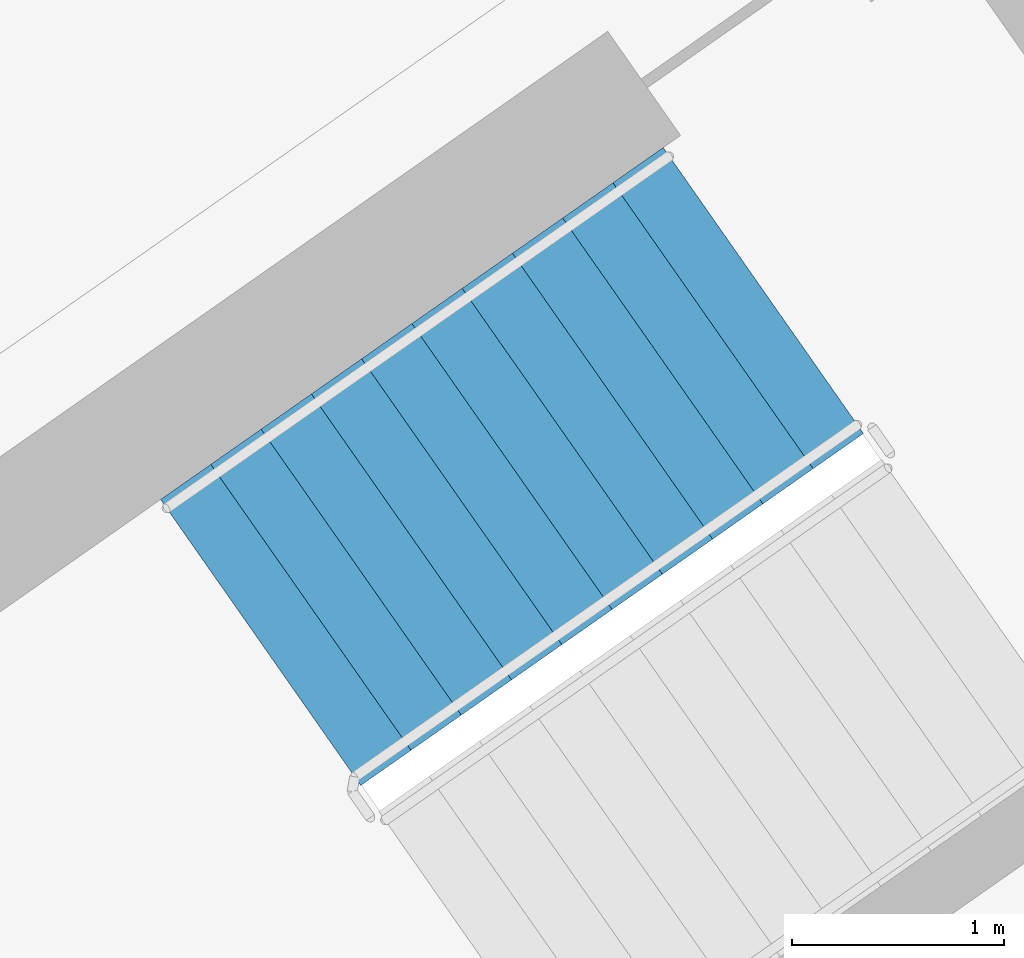
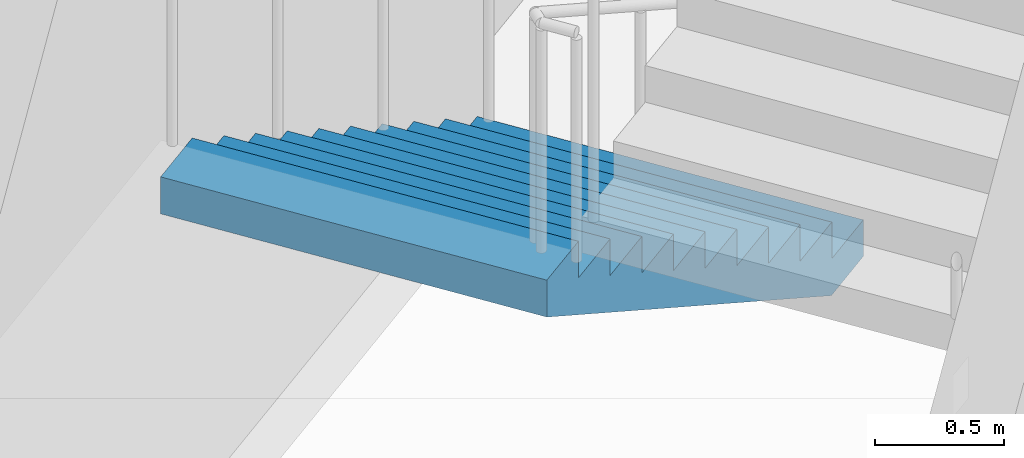
# One storey, part 16 of 29: 1 stair flight, 1 element without a shape of its own.
"""IFC4 building model written with IfcOpenShell, lengths in metres."""

from ifc_helpers import new_model, si_unit, direction, frame, origin, place, context, subcontext, project, spatial, faceted_brep, material, type_object, element, aggregate, save


model = new_model("IFC4")

# Units and contexts
model_context = context("Model", 3, precision=1e-05, world=origin(), true_north=direction((0.0, 1.0)))
body_context = subcontext(model_context, "Body", "Model", "MODEL_VIEW")
ifc_project = project(units=[si_unit("LENGTHUNIT", "METRE"), si_unit("AREAUNIT", "SQUARE_METRE"), si_unit("VOLUMEUNIT", "CUBIC_METRE"), si_unit("PLANEANGLEUNIT", "RADIAN"), si_unit("MASSUNIT", "GRAM", prefix="KILO")], contexts=[model_context])

# Site, building, storey
site_placement = place(None, origin())
site = spatial("IfcSite", under=ifc_project, at=site_placement, CompositionType="ELEMENT")
building_placement = place(site_placement, origin())
building = spatial("IfcBuilding", under=site, at=building_placement, Name="Qamariyya Broadcast Tower", CompositionType="ELEMENT")
storey_placement = place(building_placement, frame((0.0, 0.0, 207.5)))
storey = spatial("IfcBuildingStorey", under=building, at=storey_placement, Name="L49", CompositionType="ELEMENT", Elevation=207.5)

# Stair, stair flight
ifc_material = material(Name="Concrete C50/60", Category="concrete")
stair_type = type_object("IfcStairType", Name="Exit stair 22 risers of 173 mm", PredefinedType="HALF_TURN_STAIR", material=ifc_material)
stair_placement = place(storey_placement, origin())
stair = element("IfcStair", 1, at=stair_placement, inside=storey, type_object=stair_type, Name="L49 Stair E2", PredefinedType="HALF_TURN_STAIR")
stair_flight_type = type_object("IfcStairFlightType", Name="Exit stair flight 11 risers of 173 mm", PredefinedType="STRAIGHT", material=ifc_material)
stair_flight_placement = place(storey_placement, frame((40.558837890625, -47.685302734375, 0.0), z_axis=(0.0, 0.0, 1.0), x_axis=(-0.819152044289, -0.573576436351, 0.0)))
stair_flight = element("IfcStairFlight", 2, at=stair_flight_placement, type_object=stair_flight_type, Name="ST-E2 flight 1", NumberOfRisers=11, NumberOfTreads=10, PredefinedType="STRAIGHT", RiserHeight=0.172727273, TreadLength=0.29, context=body_context, shape_type="Brep", body=[
    faceted_brep([(0.0, 0.824951171875, 0.0), (0.0, 0.824951171875, 0.172607421875), (0.2900390625, 0.824951171875, 0.172607421875), (0.2900390625, 0.824951171875, 0.345458984375), (0.580078125, 0.824951171875, 0.345458984375), (0.580078125, 0.824951171875, 0.51806640625), (0.8701171875, 0.824951171875, 0.51806640625), (0.8701171875, 0.824951171875, 0.69091796875), (1.159912109375, 0.824951171875, 0.69091796875), (1.159912109375, 0.824951171875, 0.863525390625), (1.449951171875, 0.824951171875, 0.863525390625), (1.449951171875, 0.824951171875, 1.036376953125), (1.739990234375, 0.824951171875, 1.036376953125), (1.739990234375, 0.824951171875, 1.208984375), (2.030029296875, 0.824951171875, 1.208984375), (2.030029296875, 0.824951171875, 1.3818359375), (2.320068359375, 0.824951171875, 1.3818359375), (2.320068359375, 0.824951171875, 1.554443359375), (2.610107421875, 0.824951171875, 1.554443359375), (2.610107421875, 0.824951171875, 1.727294921875), (2.89990234375, 0.824951171875, 1.727294921875), (2.89990234375, 0.824951171875, 1.552734375), (0.29296875, 0.824951171875, 0.0), (0.29296875, -0.824951171875, 0.0), (2.89990234375, -0.824951171875, 1.552734375), (2.89990234375, -0.824951171875, 1.727294921875), (2.610107421875, -0.824951171875, 1.727294921875), (2.610107421875, -0.824951171875, 1.554443359375), (2.320068359375, -0.824951171875, 1.554443359375), (2.320068359375, -0.824951171875, 1.3818359375), (2.030029296875, -0.824951171875, 1.3818359375), (2.030029296875, -0.824951171875, 1.208984375), (1.739990234375, -0.824951171875, 1.208984375), (1.739990234375, -0.824951171875, 1.036376953125), (1.449951171875, -0.824951171875, 1.036376953125), (1.449951171875, -0.824951171875, 0.863525390625), (1.159912109375, -0.824951171875, 0.863525390625), (1.159912109375, -0.824951171875, 0.69091796875), (0.8701171875, -0.824951171875, 0.69091796875), (0.8701171875, -0.824951171875, 0.51806640625), (0.580078125, -0.824951171875, 0.51806640625), (0.580078125, -0.824951171875, 0.345458984375), (0.2900390625, -0.824951171875, 0.345458984375), (0.2900390625, -0.824951171875, 0.172607421875), (0.0, -0.824951171875, 0.172607421875), (0.0, -0.824951171875, 0.0), (0.0, 0.10009765625, 0.0), (0.0, 0.086669921875, 0.0), (0.0, 0.0732421875, 0.0), (0.0, 0.06005859375, 0.0), (0.0, 0.046630859375, 0.0), (0.0, 0.033447265625, 0.0), (0.0, 0.02001953125, 0.0), (0.0, 0.006591796875, 0.0), (0.0, -0.006591796875, 0.0), (0.0, -0.02001953125, 0.0), (0.0, -0.033447265625, 0.0), (0.0, -0.046630859375, 0.0), (0.0, -0.06005859375, 0.0), (0.0, -0.0732421875, 0.0), (0.0, -0.086669921875, 0.0), (0.0, -0.10009765625, 0.0), (0.0, -0.10009765625, 0.172607421875), (0.0, -0.086669921875, 0.172607421875), (0.0, -0.0732421875, 0.172607421875), (0.0, -0.06005859375, 0.172607421875), (0.0, -0.046630859375, 0.172607421875), (0.0, -0.033447265625, 0.172607421875), (0.0, -0.02001953125, 0.172607421875), (0.0, -0.006591796875, 0.172607421875), (0.0, 0.006591796875, 0.172607421875), (0.0, 0.02001953125, 0.172607421875), (0.0, 0.033447265625, 0.172607421875), (0.0, 0.046630859375, 0.172607421875), (0.0, 0.06005859375, 0.172607421875), (0.0, 0.0732421875, 0.172607421875), (0.0, 0.086669921875, 0.172607421875), (0.0, 0.10009765625, 0.172607421875), (0.2900390625, -0.10009765625, 0.172607421875), (0.2900390625, -0.086669921875, 0.172607421875), (0.2900390625, -0.0732421875, 0.172607421875), (0.2900390625, -0.06005859375, 0.172607421875), (0.2900390625, -0.046630859375, 0.172607421875), (0.2900390625, -0.033447265625, 0.172607421875), (0.2900390625, -0.02001953125, 0.172607421875), (0.2900390625, -0.006591796875, 0.172607421875), (0.2900390625, 0.006591796875, 0.172607421875), (0.2900390625, 0.02001953125, 0.172607421875), (0.2900390625, 0.033447265625, 0.172607421875), (0.2900390625, 0.046630859375, 0.172607421875), (0.2900390625, 0.06005859375, 0.172607421875), (0.2900390625, 0.0732421875, 0.172607421875), (0.2900390625, 0.086669921875, 0.172607421875), (0.2900390625, 0.10009765625, 0.172607421875), (0.2900390625, -0.10009765625, 0.345458984375), (0.2900390625, -0.086669921875, 0.345458984375), (0.2900390625, -0.0732421875, 0.345458984375), (0.2900390625, -0.06005859375, 0.345458984375), (0.2900390625, -0.046630859375, 0.345458984375), (0.2900390625, -0.033447265625, 0.345458984375), (0.2900390625, -0.02001953125, 0.345458984375), (0.2900390625, -0.006591796875, 0.345458984375), (0.2900390625, 0.006591796875, 0.345458984375), (0.2900390625, 0.02001953125, 0.345458984375), (0.2900390625, 0.033447265625, 0.345458984375), (0.2900390625, 0.046630859375, 0.345458984375), (0.2900390625, 0.06005859375, 0.345458984375), (0.2900390625, 0.0732421875, 0.345458984375), (0.2900390625, 0.086669921875, 0.345458984375), (0.2900390625, 0.10009765625, 0.345458984375), (0.580078125, -0.10009765625, 0.345458984375), (0.580078125, -0.086669921875, 0.345458984375), (0.580078125, -0.0732421875, 0.345458984375), (0.580078125, -0.06005859375, 0.345458984375), (0.580078125, -0.046630859375, 0.345458984375), (0.580078125, -0.033447265625, 0.345458984375), (0.580078125, -0.02001953125, 0.345458984375), (0.580078125, -0.006591796875, 0.345458984375), (0.580078125, 0.006591796875, 0.345458984375), (0.580078125, 0.02001953125, 0.345458984375), (0.580078125, 0.033447265625, 0.345458984375), (0.580078125, 0.046630859375, 0.345458984375), (0.580078125, 0.06005859375, 0.345458984375), (0.580078125, 0.0732421875, 0.345458984375), (0.580078125, 0.086669921875, 0.345458984375), (0.580078125, 0.10009765625, 0.345458984375), (0.580078125, -0.10009765625, 0.51806640625), (0.580078125, -0.086669921875, 0.51806640625), (0.580078125, -0.0732421875, 0.51806640625), (0.580078125, -0.06005859375, 0.51806640625), (0.580078125, -0.046630859375, 0.51806640625), (0.580078125, -0.033447265625, 0.51806640625), (0.580078125, -0.02001953125, 0.51806640625), (0.580078125, -0.006591796875, 0.51806640625), (0.580078125, 0.006591796875, 0.51806640625), (0.580078125, 0.02001953125, 0.51806640625), (0.580078125, 0.033447265625, 0.51806640625), (0.580078125, 0.046630859375, 0.51806640625), (0.580078125, 0.06005859375, 0.51806640625), (0.580078125, 0.0732421875, 0.51806640625), (0.580078125, 0.086669921875, 0.51806640625), (0.580078125, 0.10009765625, 0.51806640625), (0.8701171875, -0.10009765625, 0.51806640625), (0.8701171875, -0.086669921875, 0.51806640625), (0.8701171875, -0.0732421875, 0.51806640625), (0.8701171875, -0.06005859375, 0.51806640625), (0.8701171875, -0.046630859375, 0.51806640625), (0.8701171875, -0.033447265625, 0.51806640625), (0.8701171875, -0.02001953125, 0.51806640625), (0.8701171875, -0.006591796875, 0.51806640625), (0.8701171875, 0.006591796875, 0.51806640625), (0.8701171875, 0.02001953125, 0.51806640625), (0.8701171875, 0.033447265625, 0.51806640625), (0.8701171875, 0.046630859375, 0.51806640625), (0.8701171875, 0.06005859375, 0.51806640625), (0.8701171875, 0.0732421875, 0.51806640625), (0.8701171875, 0.086669921875, 0.51806640625), (0.8701171875, 0.10009765625, 0.51806640625), (0.8701171875, -0.10009765625, 0.69091796875), (0.8701171875, -0.086669921875, 0.69091796875), (0.8701171875, -0.0732421875, 0.69091796875), (0.8701171875, -0.06005859375, 0.69091796875), (0.8701171875, -0.046630859375, 0.69091796875), (0.8701171875, -0.033447265625, 0.69091796875), (0.8701171875, -0.02001953125, 0.69091796875), (0.8701171875, -0.006591796875, 0.69091796875), (0.8701171875, 0.006591796875, 0.69091796875), (0.8701171875, 0.02001953125, 0.69091796875), (0.8701171875, 0.033447265625, 0.69091796875), (0.8701171875, 0.046630859375, 0.69091796875), (0.8701171875, 0.06005859375, 0.69091796875), (0.8701171875, 0.0732421875, 0.69091796875), (0.8701171875, 0.086669921875, 0.69091796875), (0.8701171875, 0.10009765625, 0.69091796875), (1.159912109375, -0.10009765625, 0.69091796875), (1.159912109375, -0.086669921875, 0.69091796875), (1.159912109375, -0.0732421875, 0.69091796875), (1.159912109375, -0.06005859375, 0.69091796875), (1.159912109375, -0.046630859375, 0.69091796875), (1.159912109375, -0.033447265625, 0.69091796875), (1.159912109375, -0.02001953125, 0.69091796875), (1.159912109375, -0.006591796875, 0.69091796875), (1.159912109375, 0.006591796875, 0.69091796875), (1.159912109375, 0.02001953125, 0.69091796875), (1.159912109375, 0.033447265625, 0.69091796875), (1.159912109375, 0.046630859375, 0.69091796875), (1.159912109375, 0.06005859375, 0.69091796875), (1.159912109375, 0.0732421875, 0.69091796875), (1.159912109375, 0.086669921875, 0.69091796875), (1.159912109375, 0.10009765625, 0.69091796875), (1.159912109375, -0.10009765625, 0.863525390625), (1.159912109375, -0.086669921875, 0.863525390625), (1.159912109375, -0.0732421875, 0.863525390625), (1.159912109375, -0.06005859375, 0.863525390625), (1.159912109375, -0.046630859375, 0.863525390625), (1.159912109375, -0.033447265625, 0.863525390625), (1.159912109375, -0.02001953125, 0.863525390625), (1.159912109375, -0.006591796875, 0.863525390625), (1.159912109375, 0.006591796875, 0.863525390625), (1.159912109375, 0.02001953125, 0.863525390625), (1.159912109375, 0.033447265625, 0.863525390625), (1.159912109375, 0.046630859375, 0.863525390625), (1.159912109375, 0.06005859375, 0.863525390625), (1.159912109375, 0.0732421875, 0.863525390625), (1.159912109375, 0.086669921875, 0.863525390625), (1.159912109375, 0.10009765625, 0.863525390625), (1.449951171875, -0.10009765625, 0.863525390625), (1.449951171875, -0.086669921875, 0.863525390625), (1.449951171875, -0.0732421875, 0.863525390625), (1.449951171875, -0.06005859375, 0.863525390625), (1.449951171875, -0.046630859375, 0.863525390625), (1.449951171875, -0.033447265625, 0.863525390625), (1.449951171875, -0.02001953125, 0.863525390625), (1.449951171875, -0.006591796875, 0.863525390625), (1.449951171875, 0.006591796875, 0.863525390625), (1.449951171875, 0.02001953125, 0.863525390625), (1.449951171875, 0.033447265625, 0.863525390625), (1.449951171875, 0.046630859375, 0.863525390625), (1.449951171875, 0.06005859375, 0.863525390625), (1.449951171875, 0.0732421875, 0.863525390625), (1.449951171875, 0.086669921875, 0.863525390625), (1.449951171875, 0.10009765625, 0.863525390625), (1.449951171875, -0.10009765625, 1.036376953125), (1.449951171875, -0.086669921875, 1.036376953125), (1.449951171875, -0.0732421875, 1.036376953125), (1.449951171875, -0.06005859375, 1.036376953125), (1.449951171875, -0.046630859375, 1.036376953125), (1.449951171875, -0.033447265625, 1.036376953125), (1.449951171875, -0.02001953125, 1.036376953125), (1.449951171875, -0.006591796875, 1.036376953125), (1.449951171875, 0.006591796875, 1.036376953125), (1.449951171875, 0.02001953125, 1.036376953125), (1.449951171875, 0.033447265625, 1.036376953125), (1.449951171875, 0.046630859375, 1.036376953125), (1.449951171875, 0.06005859375, 1.036376953125), (1.449951171875, 0.0732421875, 1.036376953125), (1.449951171875, 0.086669921875, 1.036376953125), (1.449951171875, 0.10009765625, 1.036376953125), (1.739990234375, -0.10009765625, 1.036376953125), (1.739990234375, -0.086669921875, 1.036376953125), (1.739990234375, -0.0732421875, 1.036376953125), (1.739990234375, -0.06005859375, 1.036376953125), (1.739990234375, -0.046630859375, 1.036376953125), (1.739990234375, -0.033447265625, 1.036376953125), (1.739990234375, -0.02001953125, 1.036376953125), (1.739990234375, -0.006591796875, 1.036376953125), (1.739990234375, 0.006591796875, 1.036376953125), (1.739990234375, 0.02001953125, 1.036376953125), (1.739990234375, 0.033447265625, 1.036376953125), (1.739990234375, 0.046630859375, 1.036376953125), (1.739990234375, 0.06005859375, 1.036376953125), (1.739990234375, 0.0732421875, 1.036376953125), (1.739990234375, 0.086669921875, 1.036376953125), (1.739990234375, 0.10009765625, 1.036376953125), (1.739990234375, -0.10009765625, 1.208984375), (1.739990234375, -0.086669921875, 1.208984375), (1.739990234375, -0.0732421875, 1.208984375), (1.739990234375, -0.06005859375, 1.208984375), (1.739990234375, -0.046630859375, 1.208984375), (1.739990234375, -0.033447265625, 1.208984375), (1.739990234375, -0.02001953125, 1.208984375), (1.739990234375, -0.006591796875, 1.208984375), (1.739990234375, 0.006591796875, 1.208984375), (1.739990234375, 0.02001953125, 1.208984375), (1.739990234375, 0.033447265625, 1.208984375), (1.739990234375, 0.046630859375, 1.208984375), (1.739990234375, 0.06005859375, 1.208984375), (1.739990234375, 0.0732421875, 1.208984375), (1.739990234375, 0.086669921875, 1.208984375), (1.739990234375, 0.10009765625, 1.208984375), (2.030029296875, -0.10009765625, 1.208984375), (2.030029296875, -0.086669921875, 1.208984375), (2.030029296875, -0.0732421875, 1.208984375), (2.030029296875, -0.06005859375, 1.208984375), (2.030029296875, -0.046630859375, 1.208984375), (2.030029296875, -0.033447265625, 1.208984375), (2.030029296875, -0.02001953125, 1.208984375), (2.030029296875, -0.006591796875, 1.208984375), (2.030029296875, 0.006591796875, 1.208984375), (2.030029296875, 0.02001953125, 1.208984375), (2.030029296875, 0.033447265625, 1.208984375), (2.030029296875, 0.046630859375, 1.208984375), (2.030029296875, 0.06005859375, 1.208984375), (2.030029296875, 0.0732421875, 1.208984375), (2.030029296875, 0.086669921875, 1.208984375), (2.030029296875, 0.10009765625, 1.208984375), (2.030029296875, -0.10009765625, 1.3818359375), (2.030029296875, -0.086669921875, 1.3818359375), (2.030029296875, -0.0732421875, 1.3818359375), (2.030029296875, -0.06005859375, 1.3818359375), (2.030029296875, -0.046630859375, 1.3818359375), (2.030029296875, -0.033447265625, 1.3818359375), (2.030029296875, -0.02001953125, 1.3818359375), (2.030029296875, -0.006591796875, 1.3818359375), (2.030029296875, 0.006591796875, 1.3818359375), (2.030029296875, 0.02001953125, 1.3818359375), (2.030029296875, 0.033447265625, 1.3818359375), (2.030029296875, 0.046630859375, 1.3818359375), (2.030029296875, 0.06005859375, 1.3818359375), (2.030029296875, 0.0732421875, 1.3818359375), (2.030029296875, 0.086669921875, 1.3818359375), (2.030029296875, 0.10009765625, 1.3818359375), (2.320068359375, -0.10009765625, 1.3818359375), (2.320068359375, -0.086669921875, 1.3818359375), (2.320068359375, -0.0732421875, 1.3818359375), (2.320068359375, -0.06005859375, 1.3818359375), (2.320068359375, -0.046630859375, 1.3818359375), (2.320068359375, -0.033447265625, 1.3818359375), (2.320068359375, -0.02001953125, 1.3818359375), (2.320068359375, -0.006591796875, 1.3818359375), (2.320068359375, 0.006591796875, 1.3818359375), (2.320068359375, 0.02001953125, 1.3818359375), (2.320068359375, 0.033447265625, 1.3818359375), (2.320068359375, 0.046630859375, 1.3818359375), (2.320068359375, 0.06005859375, 1.3818359375), (2.320068359375, 0.0732421875, 1.3818359375), (2.320068359375, 0.086669921875, 1.3818359375), (2.320068359375, 0.10009765625, 1.3818359375), (2.320068359375, -0.10009765625, 1.554443359375), (2.320068359375, -0.086669921875, 1.554443359375), (2.320068359375, -0.0732421875, 1.554443359375), (2.320068359375, -0.06005859375, 1.554443359375), (2.320068359375, -0.046630859375, 1.554443359375), (2.320068359375, -0.033447265625, 1.554443359375), (2.320068359375, -0.02001953125, 1.554443359375), (2.320068359375, -0.006591796875, 1.554443359375), (2.320068359375, 0.006591796875, 1.554443359375), (2.320068359375, 0.02001953125, 1.554443359375), (2.320068359375, 0.033447265625, 1.554443359375), (2.320068359375, 0.046630859375, 1.554443359375), (2.320068359375, 0.06005859375, 1.554443359375), (2.320068359375, 0.0732421875, 1.554443359375), (2.320068359375, 0.086669921875, 1.554443359375), (2.320068359375, 0.10009765625, 1.554443359375), (2.610107421875, -0.10009765625, 1.554443359375), (2.610107421875, -0.086669921875, 1.554443359375), (2.610107421875, -0.0732421875, 1.554443359375), (2.610107421875, -0.06005859375, 1.554443359375), (2.610107421875, -0.046630859375, 1.554443359375), (2.610107421875, -0.033447265625, 1.554443359375), (2.610107421875, -0.02001953125, 1.554443359375), (2.610107421875, -0.006591796875, 1.554443359375), (2.610107421875, 0.006591796875, 1.554443359375), (2.610107421875, 0.02001953125, 1.554443359375), (2.610107421875, 0.033447265625, 1.554443359375), (2.610107421875, 0.046630859375, 1.554443359375), (2.610107421875, 0.06005859375, 1.554443359375), (2.610107421875, 0.0732421875, 1.554443359375), (2.610107421875, 0.086669921875, 1.554443359375), (2.610107421875, 0.10009765625, 1.554443359375), (2.610107421875, -0.10009765625, 1.727294921875), (2.610107421875, -0.086669921875, 1.727294921875), (2.610107421875, -0.0732421875, 1.727294921875), (2.610107421875, -0.06005859375, 1.727294921875), (2.610107421875, -0.046630859375, 1.727294921875), (2.610107421875, -0.033447265625, 1.727294921875), (2.610107421875, -0.02001953125, 1.727294921875), (2.610107421875, -0.006591796875, 1.727294921875), (2.610107421875, 0.006591796875, 1.727294921875), (2.610107421875, 0.02001953125, 1.727294921875), (2.610107421875, 0.033447265625, 1.727294921875), (2.610107421875, 0.046630859375, 1.727294921875), (2.610107421875, 0.06005859375, 1.727294921875), (2.610107421875, 0.0732421875, 1.727294921875), (2.610107421875, 0.086669921875, 1.727294921875), (2.610107421875, 0.10009765625, 1.727294921875), (2.89990234375, -0.10009765625, 1.727294921875), (2.89990234375, -0.086669921875, 1.727294921875), (2.89990234375, -0.0732421875, 1.727294921875), (2.89990234375, -0.06005859375, 1.727294921875), (2.89990234375, -0.046630859375, 1.727294921875), (2.89990234375, -0.033447265625, 1.727294921875), (2.89990234375, -0.02001953125, 1.727294921875), (2.89990234375, -0.006591796875, 1.727294921875), (2.89990234375, 0.006591796875, 1.727294921875), (2.89990234375, 0.02001953125, 1.727294921875), (2.89990234375, 0.033447265625, 1.727294921875), (2.89990234375, 0.046630859375, 1.727294921875), (2.89990234375, 0.06005859375, 1.727294921875), (2.89990234375, 0.0732421875, 1.727294921875), (2.89990234375, 0.086669921875, 1.727294921875), (2.89990234375, 0.10009765625, 1.727294921875), (2.89990234375, -0.10009765625, 1.552734375), (2.89990234375, -0.086669921875, 1.552734375), (2.89990234375, -0.0732421875, 1.552734375), (2.89990234375, -0.06005859375, 1.552734375), (2.89990234375, -0.046630859375, 1.552734375), (2.89990234375, -0.033447265625, 1.552734375), (2.89990234375, -0.02001953125, 1.552734375), (2.89990234375, -0.006591796875, 1.552734375), (2.89990234375, 0.006591796875, 1.552734375), (2.89990234375, 0.02001953125, 1.552734375), (2.89990234375, 0.033447265625, 1.552734375), (2.89990234375, 0.046630859375, 1.552734375), (2.89990234375, 0.06005859375, 1.552734375), (2.89990234375, 0.0732421875, 1.552734375), (2.89990234375, 0.086669921875, 1.552734375), (2.89990234375, 0.10009765625, 1.552734375), (0.29296875, -0.10009765625, 0.0), (0.29296875, -0.086669921875, 0.0), (0.29296875, -0.0732421875, 0.0), (0.29296875, -0.06005859375, 0.0), (0.29296875, -0.046630859375, 0.0), (0.29296875, -0.033447265625, 0.0), (0.29296875, -0.02001953125, 0.0), (0.29296875, -0.006591796875, 0.0), (0.29296875, 0.006591796875, 0.0), (0.29296875, 0.02001953125, 0.0), (0.29296875, 0.033447265625, 0.0), (0.29296875, 0.046630859375, 0.0), (0.29296875, 0.06005859375, 0.0), (0.29296875, 0.0732421875, 0.0), (0.29296875, 0.086669921875, 0.0), (0.29296875, 0.10009765625, 0.0)], [[[0, 1, 2, 3, 4, 5, 6, 7, 8, 9, 10, 11, 12, 13, 14, 15, 16, 17, 18, 19, 20, 21, 22]], [[23, 24, 25, 26, 27, 28, 29, 30, 31, 32, 33, 34, 35, 36, 37, 38, 39, 40, 41, 42, 43, 44, 45]], [[0, 46, 47, 48, 49, 50, 51, 52, 53, 54, 55, 56, 57, 58, 59, 60, 61, 45, 44, 62, 63, 64, 65, 66, 67, 68, 69, 70, 71, 72, 73, 74, 75, 76, 77, 1]], [[1, 77, 76, 75, 74, 73, 72, 71, 70, 69, 68, 67, 66, 65, 64, 63, 62, 44, 43, 78, 79, 80, 81, 82, 83, 84, 85, 86, 87, 88, 89, 90, 91, 92, 93, 2]], [[2, 93, 92, 91, 90, 89, 88, 87, 86, 85, 84, 83, 82, 81, 80, 79, 78, 43, 42, 94, 95, 96, 97, 98, 99, 100, 101, 102, 103, 104, 105, 106, 107, 108, 109, 3]], [[3, 109, 108, 107, 106, 105, 104, 103, 102, 101, 100, 99, 98, 97, 96, 95, 94, 42, 41, 110, 111, 112, 113, 114, 115, 116, 117, 118, 119, 120, 121, 122, 123, 124, 125, 4]], [[4, 125, 124, 123, 122, 121, 120, 119, 118, 117, 116, 115, 114, 113, 112, 111, 110, 41, 40, 126, 127, 128, 129, 130, 131, 132, 133, 134, 135, 136, 137, 138, 139, 140, 141, 5]], [[5, 141, 140, 139, 138, 137, 136, 135, 134, 133, 132, 131, 130, 129, 128, 127, 126, 40, 39, 142, 143, 144, 145, 146, 147, 148, 149, 150, 151, 152, 153, 154, 155, 156, 157, 6]], [[6, 157, 156, 155, 154, 153, 152, 151, 150, 149, 148, 147, 146, 145, 144, 143, 142, 39, 38, 158, 159, 160, 161, 162, 163, 164, 165, 166, 167, 168, 169, 170, 171, 172, 173, 7]], [[7, 173, 172, 171, 170, 169, 168, 167, 166, 165, 164, 163, 162, 161, 160, 159, 158, 38, 37, 174, 175, 176, 177, 178, 179, 180, 181, 182, 183, 184, 185, 186, 187, 188, 189, 8]], [[8, 189, 188, 187, 186, 185, 184, 183, 182, 181, 180, 179, 178, 177, 176, 175, 174, 37, 36, 190, 191, 192, 193, 194, 195, 196, 197, 198, 199, 200, 201, 202, 203, 204, 205, 9]], [[9, 205, 204, 203, 202, 201, 200, 199, 198, 197, 196, 195, 194, 193, 192, 191, 190, 36, 35, 206, 207, 208, 209, 210, 211, 212, 213, 214, 215, 216, 217, 218, 219, 220, 221, 10]], [[10, 221, 220, 219, 218, 217, 216, 215, 214, 213, 212, 211, 210, 209, 208, 207, 206, 35, 34, 222, 223, 224, 225, 226, 227, 228, 229, 230, 231, 232, 233, 234, 235, 236, 237, 11]], [[11, 237, 236, 235, 234, 233, 232, 231, 230, 229, 228, 227, 226, 225, 224, 223, 222, 34, 33, 238, 239, 240, 241, 242, 243, 244, 245, 246, 247, 248, 249, 250, 251, 252, 253, 12]], [[12, 253, 252, 251, 250, 249, 248, 247, 246, 245, 244, 243, 242, 241, 240, 239, 238, 33, 32, 254, 255, 256, 257, 258, 259, 260, 261, 262, 263, 264, 265, 266, 267, 268, 269, 13]], [[13, 269, 268, 267, 266, 265, 264, 263, 262, 261, 260, 259, 258, 257, 256, 255, 254, 32, 31, 270, 271, 272, 273, 274, 275, 276, 277, 278, 279, 280, 281, 282, 283, 284, 285, 14]], [[14, 285, 284, 283, 282, 281, 280, 279, 278, 277, 276, 275, 274, 273, 272, 271, 270, 31, 30, 286, 287, 288, 289, 290, 291, 292, 293, 294, 295, 296, 297, 298, 299, 300, 301, 15]], [[15, 301, 300, 299, 298, 297, 296, 295, 294, 293, 292, 291, 290, 289, 288, 287, 286, 30, 29, 302, 303, 304, 305, 306, 307, 308, 309, 310, 311, 312, 313, 314, 315, 316, 317, 16]], [[16, 317, 316, 315, 314, 313, 312, 311, 310, 309, 308, 307, 306, 305, 304, 303, 302, 29, 28, 318, 319, 320, 321, 322, 323, 324, 325, 326, 327, 328, 329, 330, 331, 332, 333, 17]], [[17, 333, 332, 331, 330, 329, 328, 327, 326, 325, 324, 323, 322, 321, 320, 319, 318, 28, 27, 334, 335, 336, 337, 338, 339, 340, 341, 342, 343, 344, 345, 346, 347, 348, 349, 18]], [[18, 349, 348, 347, 346, 345, 344, 343, 342, 341, 340, 339, 338, 337, 336, 335, 334, 27, 26, 350, 351, 352, 353, 354, 355, 356, 357, 358, 359, 360, 361, 362, 363, 364, 365, 19]], [[19, 365, 364, 363, 362, 361, 360, 359, 358, 357, 356, 355, 354, 353, 352, 351, 350, 26, 25, 366, 367, 368, 369, 370, 371, 372, 373, 374, 375, 376, 377, 378, 379, 380, 381, 20]], [[20, 381, 380, 379, 378, 377, 376, 375, 374, 373, 372, 371, 370, 369, 368, 367, 366, 25, 24, 382, 383, 384, 385, 386, 387, 388, 389, 390, 391, 392, 393, 394, 395, 396, 397, 21]], [[21, 397, 396, 395, 394, 393, 392, 391, 390, 389, 388, 387, 386, 385, 384, 383, 382, 24, 23, 398, 399, 400, 401, 402, 403, 404, 405, 406, 407, 408, 409, 410, 411, 412, 413, 22]], [[22, 413, 412, 411, 410, 409, 408, 407, 406, 405, 404, 403, 402, 401, 400, 399, 398, 23, 45, 61, 60, 59, 58, 57, 56, 55, 54, 53, 52, 51, 50, 49, 48, 47, 46, 0]]]),
])
aggregate(stair, [stair_flight])

save(model, "model.ifc")
